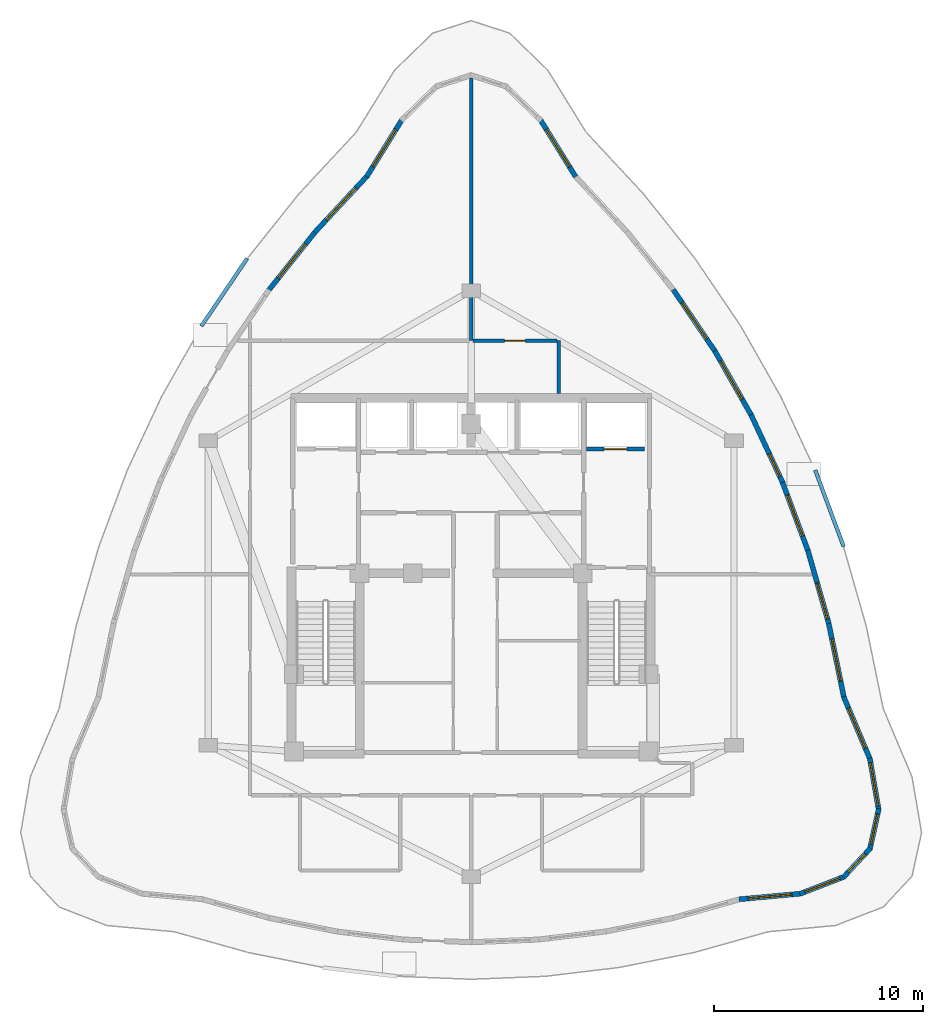
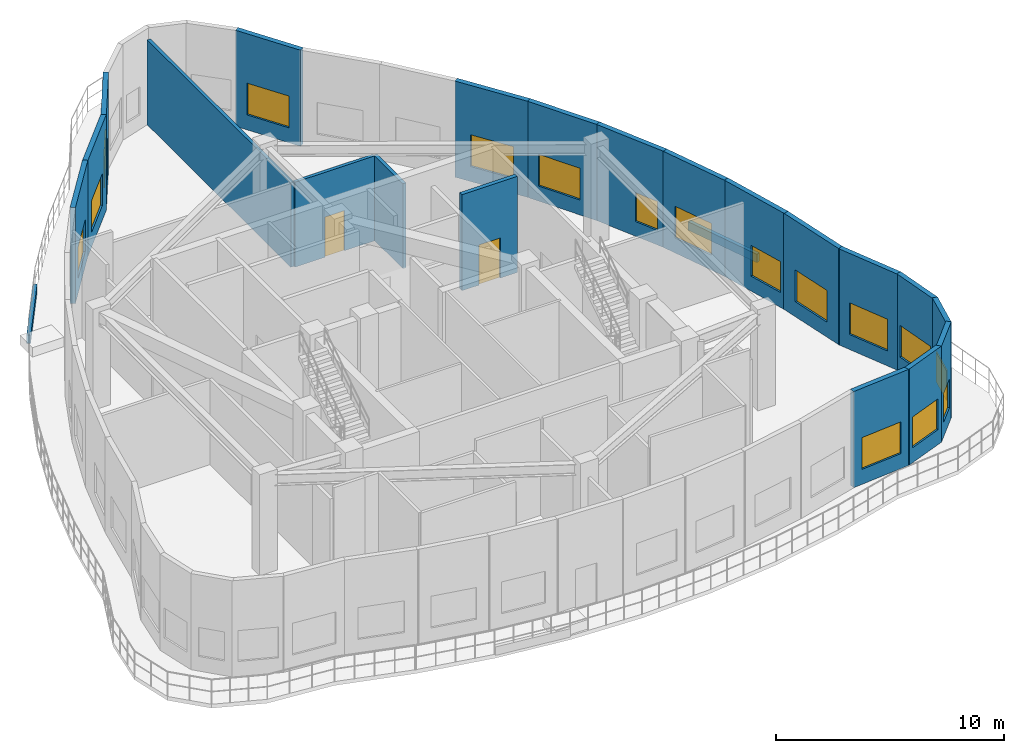
# One storey, part 6 of 11: 22 walls, 16 windows, 2 doors, 18 openings.
"""IFC4 building model written with IfcOpenShell, lengths in metres."""

import ifcopenshell
import ifcopenshell.guid

model = None  # the IFC model being written
_history = None  # IfcOwnerHistory: only IFC2X3 demands one
_inside = {}  # id of a spatial element -> (the spatial element, [elements in it])
_under = {}  # id of a project, library or spatial element -> (it, [spatial elements below it])
_declared = {}  # id of a project -> (the project, [libraries it declares])
_typed = {}  # id of a type object -> (the type object, [elements of that type])
_made_of = {}  # id of a material, layer set ... -> (it, [elements and type objects made of it])


def new_model(schema):
    """Start an empty IFC model of exactly this schema.

    Asked for "IFC4X3", IfcOpenShell would pick the latest addendum, in which some entities
    have other attributes; the version numbers below select the first issue.
    IFC2X3 requires an IfcOwnerHistory on every rooted entity: one is made here for all.
    """
    global model, _history
    if schema == "IFC4X3":
        model = ifcopenshell.file(schema_version=(4, 3, 0, 0))
    else:
        model = ifcopenshell.file(schema=schema)
    _inside.clear()
    _under.clear()
    _declared.clear()
    _typed.clear()
    _made_of.clear()
    _history = None
    if model.schema == "IFC2X3":
        org = make("IfcOrganization", Name="unknown")
        user = make(
            "IfcPersonAndOrganization",
            ThePerson=make("IfcPerson", FamilyName="unknown"),
            TheOrganization=org,
        )
        app = make(
            "IfcApplication",
            ApplicationDeveloper=org,
            Version="unknown",
            ApplicationFullName="unknown",
            ApplicationIdentifier="unknown",
        )
        _history = make(
            "IfcOwnerHistory",
            OwningUser=user,
            OwningApplication=app,
            ChangeAction="ADDED",
            CreationDate=0,
        )
    return model


def make(cls, **values):
    """One entity of the class cls with the attributes given. An attribute that is None is left unset."""
    return model.create_entity(
        cls, **{name: value for name, value in values.items() if value is not None}
    )


def rooted(cls, **values):
    """An entity with a GlobalId (a new one), such as an element, a storey or a relation."""
    return make(cls, GlobalId=ifcopenshell.guid.new(), OwnerHistory=_history, **values)


def si_unit(unit_type, name, prefix=None):
    """IfcSIUnit, for example si_unit("LENGTHUNIT", "METRE", prefix="MILLI")."""
    return make("IfcSIUnit", UnitType=unit_type, Prefix=prefix, Name=name)


def assignment(units):
    """IfcUnitAssignment: the units of a project."""
    return None if units is None else make("IfcUnitAssignment", Units=units)


def point(xyz):
    """IfcCartesianPoint."""
    return None if xyz is None else make("IfcCartesianPoint", Coordinates=xyz)


def direction(xyz):
    """IfcDirection."""
    return None if xyz is None else make("IfcDirection", DirectionRatios=xyz)


def frame(location, z_axis=None, x_axis=None):
    """IfcAxis2Placement3D, a coordinate frame: its origin and axes. An axis left out is left unset."""
    return make(
        "IfcAxis2Placement3D",
        Location=point(location),
        Axis=direction(z_axis),
        RefDirection=direction(x_axis),
    )


def frame_2d(location, x_axis=None):
    """IfcAxis2Placement2D, a coordinate frame in the plane: its origin and x axis."""
    return make(
        "IfcAxis2Placement2D", Location=point(location), RefDirection=direction(x_axis)
    )


def origin():
    """The frame at (0, 0, 0) with its axes left unset."""
    return frame((0.0, 0.0, 0.0))


def place(relative_to, where):
    """IfcLocalPlacement: puts the frame where relative to a parent placement (None: the world)."""
    return make(
        "IfcLocalPlacement", PlacementRelTo=relative_to, RelativePlacement=where
    )


def context(
    kind, dimensions, precision=None, world=None, true_north=None, identifier=None
):
    """IfcGeometricRepresentationContext, for example the 3D "Model" context."""
    return make(
        "IfcGeometricRepresentationContext",
        ContextIdentifier=identifier,
        ContextType=kind,
        CoordinateSpaceDimension=dimensions,
        Precision=precision,
        WorldCoordinateSystem=world,
        TrueNorth=true_north,
    )


def subcontext(parent, identifier, kind, view, scale=None):
    """IfcGeometricRepresentationSubContext, for example "Body" below "Model"."""
    return make(
        "IfcGeometricRepresentationSubContext",
        ContextIdentifier=identifier,
        ContextType=kind,
        ParentContext=parent,
        TargetScale=scale,
        TargetView=view,
    )


def project(units=None, contexts=None):
    """IfcProject with its units and contexts."""
    return rooted(
        "IfcProject",
        Name="project",
        RepresentationContexts=contexts,
        UnitsInContext=assignment(units),
    )


def spatial(cls, under=None, at=None, **own):
    """A site, building, storey or space (cls), placed at a placement, below another one or the project."""
    s = rooted(cls, ObjectPlacement=at, **own)
    if under is not None:
        _under.setdefault(under.id(), (under, []))[1].append(s)
    return s


def profile(cls, at=None, kind="AREA", **sizes):
    """A parametric profile (cls). Its sizes go by their IFC names, for example OverallWidth=200.0."""
    return make(cls, ProfileType=kind, Position=at, **sizes)


def rectangle(**sizes):
    """IfcRectangleProfileDef."""
    return profile("IfcRectangleProfileDef", **sizes)


def extrude(swept, where, along, depth):
    """IfcExtrudedAreaSolid: the profile swept, set in the frame where, extruded along a direction by depth."""
    return make(
        "IfcExtrudedAreaSolid",
        SweptArea=swept,
        Position=where,
        ExtrudedDirection=direction(along),
        Depth=depth,
    )


def shape(context_of_items, identifier, shape_type, items):
    """IfcShapeRepresentation: the items that make up one representation, for example the "Body"."""
    return make(
        "IfcShapeRepresentation",
        ContextOfItems=context_of_items,
        RepresentationIdentifier=identifier,
        RepresentationType=shape_type,
        Items=items,
    )


def material(Name=None, Category=None):
    """IfcMaterial."""
    return make("IfcMaterial", Name=Name, Category=Category)


def layer(
    of_material, thickness, ventilated=None, Name=None, Category=None, Priority=None
):
    """IfcMaterialLayer: one layer of a wall or slab, of a material (None: an air gap)."""
    return make(
        "IfcMaterialLayer",
        Material=of_material,
        LayerThickness=thickness,
        IsVentilated=ventilated,
        Name=Name,
        Category=Category,
        Priority=Priority,
    )


def layer_set(layers, Name=None):
    """IfcMaterialLayerSet."""
    return make("IfcMaterialLayerSet", MaterialLayers=layers, LayerSetName=Name)


def made_of(thing, what):
    """Note that an element or type object is made of a material, layer set ...; save() writes the relation."""
    if what is not None:
        _made_of.setdefault(what.id(), (what, []))[1].append(thing)
    return thing


def type_object(cls, material=None, **own):
    """A type object (cls), such as IfcWallType, which elements share."""
    return made_of(rooted(cls, **own), material)


def element(
    cls,
    number,
    at=None,
    inside=None,
    cuts=None,
    type_object=None,
    material=None,
    context=None,
    identifier="Body",
    shape_type=None,
    held_by="IfcProductDefinitionShape",
    body=None,
    shapes=None,
    **own,
):
    """One element of the class cls, such as IfcWall. Its Tag is "e" and its number.

    at: its placement. inside: the storey or other place that contains it. cuts: it is an
    opening in that element (IfcRelVoidsElement). A single representation is given by context,
    identifier, shape_type and body (its items); several are given by shapes. held_by: the class
    of the entity that holds the representations. save() writes the other relations.
    """
    e = rooted(cls, Tag="e%d" % number, ObjectPlacement=at, **own)
    if body is not None:
        shapes = [shape(context, identifier, shape_type, body)]
    if shapes is not None:
        e.Representation = make(held_by, Representations=shapes)
    if inside is not None:
        _inside.setdefault(inside.id(), (inside, []))[1].append(e)
    if cuts is not None:
        rooted(
            "IfcRelVoidsElement", RelatingBuildingElement=cuts, RelatedOpeningElement=e
        )
    if type_object is not None:
        _typed.setdefault(type_object.id(), (type_object, []))[1].append(e)
    return made_of(e, material)


def fill(opening, filler):
    """IfcRelFillsElement: the door or window that sits in an opening."""
    return rooted(
        "IfcRelFillsElement",
        RelatingOpeningElement=opening,
        RelatedBuildingElement=filler,
    )


def aggregate(whole, parts):
    """IfcRelAggregates: a whole, such as a stair, and the parts it consists of."""
    return rooted("IfcRelAggregates", RelatingObject=whole, RelatedObjects=parts)


def save(model, path):
    """Write the relations noted so far, then the file.

    IfcRelAggregates (storeys below a building ...), IfcRelContainedInSpatialStructure (elements
    in a storey), IfcRelDefinesByType, IfcRelAssociatesMaterial and IfcRelDeclares: one each for
    every whole, place, type object, material and project.
    """
    for whole, parts in _under.values():
        aggregate(whole, parts)
    for where, things in _inside.values():
        rooted(
            "IfcRelContainedInSpatialStructure",
            RelatedElements=things,
            RelatingStructure=where,
        )
    for kind, things in _typed.values():
        rooted("IfcRelDefinesByType", RelatedObjects=things, RelatingType=kind)
    for what, things in _made_of.values():
        rooted("IfcRelAssociatesMaterial", RelatedObjects=things, RelatingMaterial=what)
    for by, libraries in _declared.values():
        rooted("IfcRelDeclares", RelatingContext=by, RelatedDefinitions=libraries)
    model.write(path)


model = new_model("IFC4")

# Units and contexts
model_context = context("Model", 3, precision=1e-05, world=origin(), true_north=direction((0.0, 1.0)))
body_context = subcontext(model_context, "Body", "Model", "MODEL_VIEW")
ifc_project = project(units=[si_unit("LENGTHUNIT", "METRE"), si_unit("AREAUNIT", "SQUARE_METRE"), si_unit("VOLUMEUNIT", "CUBIC_METRE"), si_unit("PLANEANGLEUNIT", "RADIAN"), si_unit("MASSUNIT", "GRAM", prefix="KILO")], contexts=[model_context])

# Site, building, storey
site_placement = place(None, origin())
site = spatial("IfcSite", under=ifc_project, at=site_placement, CompositionType="ELEMENT")
building_placement = place(site_placement, origin())
building = spatial("IfcBuilding", under=site, at=building_placement, Name="Miruveldt Soraemaru", CompositionType="ELEMENT")
storey_placement = place(building_placement, frame((0.0, 0.0, 295.39990234375)))
storey = spatial("IfcBuildingStorey", under=building, at=storey_placement, Name="L79", CompositionType="ELEMENT", Elevation=295.39990234375)

# Wall, opening, window
ifc_material_1 = material(Name="Precast concrete C45/55 (45 MPa)", Category="concrete")
ifc_layer_1 = layer(ifc_material_1, 0.239990234375, Name="Precast concrete C45/55 (45 MPa)", Category="concrete")
ifc_layer_set_1 = layer_set([ifc_layer_1], Name="Precast concrete C45/55 (45 MPa)")
wall_type_1 = type_object("IfcWallType", Name="WALL-EXT-PC240", PredefinedType="SOLIDWALL", material=ifc_layer_set_1)
wall_1_placement = place(storey_placement, frame((49.009521484375, 63.05615234375, 0.0), z_axis=(0.0, 0.0, 1.0), x_axis=(-0.526110187608, 0.850416410058, 0.0)))
wall_1 = element("IfcWall", 1, at=wall_1_placement, inside=storey, type_object=wall_type_1, Name="L79 Precast Concrete Facade Wall 1", PredefinedType="SOLIDWALL", context=body_context, shape_type="SweptSolid", body=[
    extrude(rectangle(XDim=3.232666015625, YDim=0.239990234375, at=frame_2d((1.6162109375, 0.0))), origin(), (0.0, 0.0, 1.0), 5.14013671875),
])
opening_1_placement = place(wall_1_placement, frame((0.56591796875, 0.0, 0.800048828125)))
opening_1 = element("IfcOpeningElement", 2, at=opening_1_placement, cuts=wall_1, Name="Opening WN-1", PredefinedType="OPENING", context=body_context, shape_type="SweptSolid", body=[
    extrude(rectangle(XDim=2.10009765625, YDim=1.699951171875, at=frame_2d((1.050048828125, 0.85009765625))), frame((0.0, 0.1298828125, 0.0), z_axis=(0.0, -1.0, 0.0), x_axis=(1.0, 0.0, 0.0)), (0.0, 0.0, 1.0), 0.260009765625),
])
ifc_material_2 = material(Name="Triple low-e insulated glazing", Category="glass")
window_type_1 = type_object("IfcWindowType", Name="WIN-PUNCH-2100x1700", PartitioningType="SINGLE_PANEL", PredefinedType="WINDOW", material=ifc_material_2)
window_1_placement = place(opening_1_placement, origin())
window_1 = element("IfcWindow", 3, at=window_1_placement, inside=storey, type_object=window_type_1, Name="L79 Punched Triple-Glazed Window 01.1", OverallHeight=1.699951171875, OverallWidth=2.10009765625, PartitioningType="SINGLE_PANEL", PredefinedType="WINDOW", context=body_context, shape_type="SweptSolid", body=[
    extrude(rectangle(XDim=2.10009765625, YDim=1.699951171875, at=frame_2d((1.050048828125, 0.85009765625))), frame((0.0, 0.030029296875, 0.0), z_axis=(0.0, -1.0, 0.0), x_axis=(1.0, 0.0, 0.0)), (0.0, 0.0, 1.0), 0.06005859375),
])
fill(opening_1, window_1)

wall_2_placement = place(storey_placement, frame((40.691162109375, 65.80517578125, 0.0), z_axis=(0.0, 0.0, 1.0), x_axis=(-0.526110187608, -0.850416410058, 0.0)))
wall_2 = element("IfcWall", 4, at=wall_2_placement, inside=storey, type_object=wall_type_1, Name="L79 Precast Concrete Facade Wall 6", PredefinedType="SOLIDWALL", context=body_context, shape_type="SweptSolid", body=[
    extrude(rectangle(XDim=3.232666015625, YDim=0.239990234375, at=frame_2d((1.6162109375, 0.0))), origin(), (0.0, 0.0, 1.0), 5.14013671875),
])
opening_2_placement = place(wall_2_placement, frame((0.56591796875, 0.0, 0.800048828125)))
opening_2 = element("IfcOpeningElement", 5, at=opening_2_placement, cuts=wall_2, Name="Opening WN-1", PredefinedType="OPENING", context=body_context, shape_type="SweptSolid", body=[
    extrude(rectangle(XDim=2.10009765625, YDim=1.699951171875, at=frame_2d((1.050048828125, 0.85009765625))), frame((0.0, 0.1298828125, 0.0), z_axis=(0.0, -1.0, 0.0), x_axis=(1.0, 0.0, 0.0)), (0.0, 0.0, 1.0), 0.260009765625),
])
window_2_placement = place(opening_2_placement, origin())
window_2 = element("IfcWindow", 6, at=window_2_placement, inside=storey, type_object=window_type_1, Name="L79 Punched Triple-Glazed Window 06.1", OverallHeight=1.699951171875, OverallWidth=2.10009765625, PartitioningType="SINGLE_PANEL", PredefinedType="WINDOW", context=body_context, shape_type="SweptSolid", body=[
    extrude(rectangle(XDim=2.10009765625, YDim=1.699951171875, at=frame_2d((1.050048828125, 0.85009765625))), frame((0.0, 0.030029296875, 0.0), z_axis=(0.0, -1.0, 0.0), x_axis=(1.0, 0.0, 0.0)), (0.0, 0.0, 1.0), 0.06005859375),
])
fill(opening_2, window_2)

wall_3_placement = place(storey_placement, frame((39.03271484375, 63.111572265625, 0.0), z_axis=(0.0, 0.0, 1.0), x_axis=(-0.68087147599, -0.732402917241, 0.0)))
wall_3 = element("IfcWall", 7, at=wall_3_placement, inside=storey, type_object=wall_type_1, Name="L79 Precast Concrete Facade Wall 7", PredefinedType="SOLIDWALL", context=body_context, shape_type="SweptSolid", body=[
    extrude(rectangle(XDim=3.718994140625, YDim=0.239990234375, at=frame_2d((1.859375, 0.0))), origin(), (0.0, 0.0, 1.0), 5.14013671875),
])
opening_3_placement = place(wall_3_placement, frame((0.81005859375, 0.0, 0.800048828125)))
opening_3 = element("IfcOpeningElement", 8, at=opening_3_placement, cuts=wall_3, Name="Opening WN-1", PredefinedType="OPENING", context=body_context, shape_type="SweptSolid", body=[
    extrude(rectangle(XDim=2.10009765625, YDim=1.699951171875, at=frame_2d((1.050048828125, 0.85009765625))), frame((0.0, 0.1298828125, 0.0), z_axis=(0.0, -1.0, 0.0), x_axis=(1.0, 0.0, 0.0)), (0.0, 0.0, 1.0), 0.260009765625),
])
window_3_placement = place(opening_3_placement, origin())
window_3 = element("IfcWindow", 9, at=window_3_placement, inside=storey, type_object=window_type_1, Name="L79 Punched Triple-Glazed Window 07.1", OverallHeight=1.699951171875, OverallWidth=2.10009765625, PartitioningType="SINGLE_PANEL", PredefinedType="WINDOW", context=body_context, shape_type="SweptSolid", body=[
    extrude(rectangle(XDim=2.10009765625, YDim=1.699951171875, at=frame_2d((1.050048828125, 0.85009765625))), frame((0.0, 0.030029296875, 0.0), z_axis=(0.0, -1.0, 0.0), x_axis=(1.0, 0.0, 0.0)), (0.0, 0.0, 1.0), 0.06005859375),
])
fill(opening_3, window_3)

wall_4_placement = place(storey_placement, frame((36.546142578125, 60.440673828125, 0.0), z_axis=(0.0, 0.0, 1.0), x_axis=(-0.623626980574, -0.781722066402, 0.0)))
wall_4 = element("IfcWall", 10, at=wall_4_placement, inside=storey, type_object=wall_type_1, Name="L79 Precast Concrete Facade Wall 8", PredefinedType="SOLIDWALL", context=body_context, shape_type="SweptSolid", body=[
    extrude(rectangle(XDim=3.65380859375, YDim=0.239990234375, at=frame_2d((1.826904296875, 0.0))), origin(), (0.0, 0.0, 1.0), 5.14013671875),
])
opening_4_placement = place(wall_4_placement, frame((0.777099609375, 0.0, 0.800048828125)))
opening_4 = element("IfcOpeningElement", 11, at=opening_4_placement, cuts=wall_4, Name="Opening WN-1", PredefinedType="OPENING", context=body_context, shape_type="SweptSolid", body=[
    extrude(rectangle(XDim=2.10009765625, YDim=1.699951171875, at=frame_2d((1.050048828125, 0.85009765625))), frame((0.0, 0.1298828125, 0.0), z_axis=(0.0, -1.0, 0.0), x_axis=(1.0, 0.0, 0.0)), (0.0, 0.0, 1.0), 0.260009765625),
])
window_4_placement = place(opening_4_placement, origin())
window_4 = element("IfcWindow", 12, at=window_4_placement, inside=storey, type_object=window_type_1, Name="L79 Punched Triple-Glazed Window 08.1", OverallHeight=1.699951171875, OverallWidth=2.10009765625, PartitioningType="SINGLE_PANEL", PredefinedType="WINDOW", context=body_context, shape_type="SweptSolid", body=[
    extrude(rectangle(XDim=2.10009765625, YDim=1.699951171875, at=frame_2d((1.050048828125, 0.85009765625))), frame((0.0, 0.030029296875, 0.0), z_axis=(0.0, -1.0, 0.0), x_axis=(1.0, 0.0, 0.0)), (0.0, 0.0, 1.0), 0.06005859375),
])
fill(opening_4, window_4)

wall_5_placement = place(storey_placement, frame((56.84619140625, 28.412841796875, 0.0), z_axis=(0.0, 0.0, 1.0), x_axis=(0.995767942029, 0.091903240575, 0.0)))
wall_5 = element("IfcWall", 13, at=wall_5_placement, inside=storey, type_object=wall_type_1, Name="L79 Precast Concrete Facade Wall 29", PredefinedType="SOLIDWALL", context=body_context, shape_type="SweptSolid", body=[
    extrude(rectangle(XDim=2.993896484375, YDim=0.239990234375, at=frame_2d((1.4970703125, 0.0))), origin(), (0.0, 0.0, 1.0), 5.14013671875),
])
opening_5_placement = place(wall_5_placement, frame((0.447021484375, 0.0, 0.800048828125)))
opening_5 = element("IfcOpeningElement", 14, at=opening_5_placement, cuts=wall_5, Name="Opening WN-1", PredefinedType="OPENING", context=body_context, shape_type="SweptSolid", body=[
    extrude(rectangle(XDim=2.10009765625, YDim=1.699951171875, at=frame_2d((1.050048828125, 0.85009765625))), frame((0.0, 0.1298828125, 0.0), z_axis=(0.0, -1.0, 0.0), x_axis=(1.0, 0.0, 0.0)), (0.0, 0.0, 1.0), 0.260009765625),
])
window_5_placement = place(opening_5_placement, origin())
window_5 = element("IfcWindow", 15, at=window_5_placement, inside=storey, type_object=window_type_1, Name="L79 Punched Triple-Glazed Window 29.1", OverallHeight=1.699951171875, OverallWidth=2.10009765625, PartitioningType="SINGLE_PANEL", PredefinedType="WINDOW", context=body_context, shape_type="SweptSolid", body=[
    extrude(rectangle(XDim=2.10009765625, YDim=1.699951171875, at=frame_2d((1.050048828125, 0.85009765625))), frame((0.0, 0.030029296875, 0.0), z_axis=(0.0, -1.0, 0.0), x_axis=(1.0, 0.0, 0.0)), (0.0, 0.0, 1.0), 0.06005859375),
])
fill(opening_5, window_5)

wall_6_placement = place(storey_placement, frame((59.760009765625, 28.672119140625, 0.0), z_axis=(0.0, 0.0, 1.0), x_axis=(0.932269297358, 0.361765058019, 0.0)))
wall_6 = element("IfcWall", 16, at=wall_6_placement, inside=storey, type_object=wall_type_1, Name="L79 Precast Concrete Facade Wall 30", PredefinedType="SOLIDWALL", context=body_context, shape_type="SweptSolid", body=[
    extrude(rectangle(XDim=2.300537109375, YDim=0.239990234375, at=frame_2d((1.150390625, 0.0))), origin(), (0.0, 0.0, 1.0), 5.14013671875),
])
opening_6_placement = place(wall_6_placement, frame((0.2509765625, 0.0, 0.800048828125)))
opening_6 = element("IfcOpeningElement", 17, at=opening_6_placement, cuts=wall_6, Name="Opening WN-2", PredefinedType="OPENING", context=body_context, shape_type="SweptSolid", body=[
    extrude(rectangle(XDim=1.800048828125, YDim=1.64990234375, at=frame_2d((0.89990234375, 0.824951171875))), frame((0.0, 0.1298828125, 0.0), z_axis=(0.0, -1.0, 0.0), x_axis=(1.0, 0.0, 0.0)), (0.0, 0.0, 1.0), 0.260009765625),
])
window_type_2 = type_object("IfcWindowType", Name="WIN-PUNCH-1800x1650", PartitioningType="SINGLE_PANEL", PredefinedType="WINDOW", material=ifc_material_2)
window_6_placement = place(opening_6_placement, origin())
window_6 = element("IfcWindow", 18, at=window_6_placement, inside=storey, type_object=window_type_2, Name="L79 Punched Triple-Glazed Window 30.1", OverallHeight=1.64990234375, OverallWidth=1.800048828125, PartitioningType="SINGLE_PANEL", PredefinedType="WINDOW", context=body_context, shape_type="SweptSolid", body=[
    extrude(rectangle(XDim=1.800048828125, YDim=1.64990234375, at=frame_2d((0.89990234375, 0.824951171875))), frame((0.0, 0.030029296875, 0.0), z_axis=(0.0, -1.0, 0.0), x_axis=(1.0, 0.0, 0.0)), (0.0, 0.0, 1.0), 0.06005859375),
])
fill(opening_6, window_6)

wall_7_placement = place(storey_placement, frame((61.848388671875, 29.466064453125, 0.0), z_axis=(0.0, 0.0, 1.0), x_axis=(0.680072395428, 0.733144963139, 0.0)))
wall_7 = element("IfcWall", 19, at=wall_7_placement, inside=storey, type_object=wall_type_1, Name="L79 Precast Concrete Facade Wall 31", PredefinedType="SOLIDWALL", context=body_context, shape_type="SweptSolid", body=[
    extrude(rectangle(XDim=1.904541015625, YDim=0.239990234375, at=frame_2d((0.9521484375, 0.0))), origin(), (0.0, 0.0, 1.0), 5.14013671875),
])
opening_7_placement = place(wall_7_placement, frame((0.35205078125, 0.0, 0.780029296875)))
opening_7 = element("IfcOpeningElement", 20, at=opening_7_placement, cuts=wall_7, Name="Opening WN-4", PredefinedType="OPENING", context=body_context, shape_type="SweptSolid", body=[
    extrude(rectangle(XDim=1.199951171875, YDim=1.550048828125, at=frame_2d((0.60009765625, 0.77490234375))), frame((0.0, 0.1298828125, 0.0), z_axis=(0.0, -1.0, 0.0), x_axis=(1.0, 0.0, 0.0)), (0.0, 0.0, 1.0), 0.260009765625),
])
window_type_3 = type_object("IfcWindowType", Name="WIN-PUNCH-1200x1550", PartitioningType="SINGLE_PANEL", PredefinedType="WINDOW", material=ifc_material_2)
window_7_placement = place(opening_7_placement, origin())
window_7 = element("IfcWindow", 21, at=window_7_placement, inside=storey, type_object=window_type_3, Name="L79 Punched Triple-Glazed Window 31.1", OverallHeight=1.550048828125, OverallWidth=1.199951171875, PartitioningType="SINGLE_PANEL", PredefinedType="WINDOW", context=body_context, shape_type="SweptSolid", body=[
    extrude(rectangle(XDim=1.199951171875, YDim=1.550048828125, at=frame_2d((0.60009765625, 0.77490234375))), frame((0.0, 0.030029296875, 0.0), z_axis=(0.0, -1.0, 0.0), x_axis=(1.0, 0.0, 0.0)), (0.0, 0.0, 1.0), 0.06005859375),
])
fill(opening_7, window_7)

wall_8_placement = place(storey_placement, frame((63.1123046875, 30.80224609375, 0.0), z_axis=(0.0, 0.0, 1.0), x_axis=(0.215649526387, 0.976470829963, 0.0)))
wall_8 = element("IfcWall", 22, at=wall_8_placement, inside=storey, type_object=wall_type_1, Name="L79 Precast Concrete Facade Wall 32", PredefinedType="SOLIDWALL", context=body_context, shape_type="SweptSolid", body=[
    extrude(rectangle(XDim=1.998291015625, YDim=0.239990234375, at=frame_2d((0.9990234375, 0.0))), origin(), (0.0, 0.0, 1.0), 5.14013671875),
])
opening_8_placement = place(wall_8_placement, frame((0.2490234375, 0.0, 0.800048828125)))
opening_8 = element("IfcOpeningElement", 23, at=opening_8_placement, cuts=wall_8, Name="Opening WN-3", PredefinedType="OPENING", context=body_context, shape_type="SweptSolid", body=[
    extrude(rectangle(XDim=1.5, YDim=1.60009765625, at=frame_2d((0.75, 0.800048828125))), frame((0.0, 0.1298828125, 0.0), z_axis=(0.0, -1.0, 0.0), x_axis=(1.0, 0.0, 0.0)), (0.0, 0.0, 1.0), 0.260009765625),
])
window_type_4 = type_object("IfcWindowType", Name="WIN-PUNCH-1500x1600", PartitioningType="SINGLE_PANEL", PredefinedType="WINDOW", material=ifc_material_2)
window_8_placement = place(opening_8_placement, origin())
window_8 = element("IfcWindow", 24, at=window_8_placement, inside=storey, type_object=window_type_4, Name="L79 Punched Triple-Glazed Window 32.1", OverallHeight=1.60009765625, OverallWidth=1.5, PartitioningType="SINGLE_PANEL", PredefinedType="WINDOW", context=body_context, shape_type="SweptSolid", body=[
    extrude(rectangle(XDim=1.5, YDim=1.60009765625, at=frame_2d((0.75, 0.800048828125))), frame((0.0, 0.030029296875, 0.0), z_axis=(0.0, -1.0, 0.0), x_axis=(1.0, 0.0, 0.0)), (0.0, 0.0, 1.0), 0.06005859375),
])
fill(opening_8, window_8)

wall_9_placement = place(storey_placement, frame((63.54150390625, 32.6845703125, 0.0), z_axis=(0.0, 0.0, 1.0), x_axis=(-0.169240125324, 0.985574847477, 0.0)))
wall_9 = element("IfcWall", 25, at=wall_9_placement, inside=storey, type_object=wall_type_1, Name="L79 Precast Concrete Facade Wall 33", PredefinedType="SOLIDWALL", context=body_context, shape_type="SweptSolid", body=[
    extrude(rectangle(XDim=2.52587890625, YDim=0.239990234375, at=frame_2d((1.262939453125, 0.0))), origin(), (0.0, 0.0, 1.0), 5.14013671875),
])
opening_9_placement = place(wall_9_placement, frame((0.212890625, 0.0, 0.800048828125)))
opening_9 = element("IfcOpeningElement", 26, at=opening_9_placement, cuts=wall_9, Name="Opening WN-1", PredefinedType="OPENING", context=body_context, shape_type="SweptSolid", body=[
    extrude(rectangle(XDim=2.10009765625, YDim=1.699951171875, at=frame_2d((1.050048828125, 0.85009765625))), frame((0.0, 0.1298828125, 0.0), z_axis=(0.0, -1.0, 0.0), x_axis=(1.0, 0.0, 0.0)), (0.0, 0.0, 1.0), 0.260009765625),
])
window_9_placement = place(opening_9_placement, origin())
window_9 = element("IfcWindow", 27, at=window_9_placement, inside=storey, type_object=window_type_1, Name="L79 Punched Triple-Glazed Window 33.1", OverallHeight=1.699951171875, OverallWidth=2.10009765625, PartitioningType="SINGLE_PANEL", PredefinedType="WINDOW", context=body_context, shape_type="SweptSolid", body=[
    extrude(rectangle(XDim=2.10009765625, YDim=1.699951171875, at=frame_2d((1.050048828125, 0.85009765625))), frame((0.0, 0.030029296875, 0.0), z_axis=(0.0, -1.0, 0.0), x_axis=(1.0, 0.0, 0.0)), (0.0, 0.0, 1.0), 0.06005859375),
])
fill(opening_9, window_9)

wall_10_placement = place(storey_placement, frame((63.13330078125, 35.107421875, 0.0), z_axis=(0.0, 0.0, 1.0), x_axis=(-0.388622520849, 0.921397056805, 0.0)))
wall_10 = element("IfcWall", 28, at=wall_10_placement, inside=storey, type_object=wall_type_1, Name="L79 Precast Concrete Facade Wall 34", PredefinedType="SOLIDWALL", context=body_context, shape_type="SweptSolid", body=[
    extrude(rectangle(XDim=3.280517578125, YDim=0.239990234375, at=frame_2d((1.64013671875, 0.0))), origin(), (0.0, 0.0, 1.0), 5.14013671875),
])
opening_10_placement = place(wall_10_placement, frame((0.591064453125, 0.0, 0.800048828125)))
opening_10 = element("IfcOpeningElement", 29, at=opening_10_placement, cuts=wall_10, Name="Opening WN-1", PredefinedType="OPENING", context=body_context, shape_type="SweptSolid", body=[
    extrude(rectangle(XDim=2.10009765625, YDim=1.699951171875, at=frame_2d((1.050048828125, 0.85009765625))), frame((0.0, 0.1298828125, 0.0), z_axis=(0.0, -1.0, 0.0), x_axis=(1.0, 0.0, 0.0)), (0.0, 0.0, 1.0), 0.260009765625),
])
window_10_placement = place(opening_10_placement, origin())
window_10 = element("IfcWindow", 30, at=window_10_placement, inside=storey, type_object=window_type_1, Name="L79 Punched Triple-Glazed Window 34.1", OverallHeight=1.699951171875, OverallWidth=2.10009765625, PartitioningType="SINGLE_PANEL", PredefinedType="WINDOW", context=body_context, shape_type="SweptSolid", body=[
    extrude(rectangle(XDim=2.10009765625, YDim=1.699951171875, at=frame_2d((1.050048828125, 0.85009765625))), frame((0.0, 0.030029296875, 0.0), z_axis=(0.0, -1.0, 0.0), x_axis=(1.0, 0.0, 0.0)), (0.0, 0.0, 1.0), 0.06005859375),
])
fill(opening_10, window_10)

wall_11_placement = place(storey_placement, frame((61.879150390625, 38.063720703125, 0.0), z_axis=(0.0, 0.0, 1.0), x_axis=(-0.201578837363, 0.979472292782, 0.0)))
wall_11 = element("IfcWall", 31, at=wall_11_placement, inside=storey, type_object=wall_type_1, Name="L79 Precast Concrete Facade Wall 35", PredefinedType="SOLIDWALL", context=body_context, shape_type="SweptSolid", body=[
    extrude(rectangle(XDim=3.719482421875, YDim=0.239990234375, at=frame_2d((1.85986328125, 0.0))), origin(), (0.0, 0.0, 1.0), 5.14013671875),
])
opening_11_placement = place(wall_11_placement, frame((0.81005859375, 0.0, 0.800048828125)))
opening_11 = element("IfcOpeningElement", 32, at=opening_11_placement, cuts=wall_11, Name="Opening WN-1", PredefinedType="OPENING", context=body_context, shape_type="SweptSolid", body=[
    extrude(rectangle(XDim=2.10009765625, YDim=1.699951171875, at=frame_2d((1.050048828125, 0.85009765625))), frame((0.0, 0.1298828125, 0.0), z_axis=(0.0, -1.0, 0.0), x_axis=(1.0, 0.0, 0.0)), (0.0, 0.0, 1.0), 0.260009765625),
])
window_11_placement = place(opening_11_placement, origin())
window_11 = element("IfcWindow", 33, at=window_11_placement, inside=storey, type_object=window_type_1, Name="L79 Punched Triple-Glazed Window 35.1", OverallHeight=1.699951171875, OverallWidth=2.10009765625, PartitioningType="SINGLE_PANEL", PredefinedType="WINDOW", context=body_context, shape_type="SweptSolid", body=[
    extrude(rectangle(XDim=2.10009765625, YDim=1.699951171875, at=frame_2d((1.050048828125, 0.85009765625))), frame((0.0, 0.030029296875, 0.0), z_axis=(0.0, -1.0, 0.0), x_axis=(1.0, 0.0, 0.0)), (0.0, 0.0, 1.0), 0.06005859375),
])
fill(opening_11, window_11)

wall_12_placement = place(storey_placement, frame((61.14599609375, 41.638671875, 0.0), z_axis=(0.0, 0.0, 1.0), x_axis=(-0.274897629025, 0.961473501224, 0.0)))
wall_12 = element("IfcWall", 34, at=wall_12_placement, inside=storey, type_object=wall_type_1, Name="L79 Precast Concrete Facade Wall 36", PredefinedType="SOLIDWALL", context=body_context, shape_type="SweptSolid", body=[
    extrude(rectangle(XDim=3.65380859375, YDim=0.239990234375, at=frame_2d((1.826904296875, 0.0))), origin(), (0.0, 0.0, 1.0), 5.14013671875),
])
opening_12_placement = place(wall_12_placement, frame((0.219970703125, 0.0, 0.800048828125)))
opening_12 = element("IfcOpeningElement", 35, at=opening_12_placement, cuts=wall_12, Name="Opening WN-2", PredefinedType="OPENING", context=body_context, shape_type="SweptSolid", body=[
    extrude(rectangle(XDim=1.800048828125, YDim=1.64990234375, at=frame_2d((0.89990234375, 0.824951171875))), frame((0.0, 0.1298828125, 0.0), z_axis=(0.0, -1.0, 0.0), x_axis=(1.0, 0.0, 0.0)), (0.0, 0.0, 1.0), 0.260009765625),
])
window_12_placement = place(opening_12_placement, origin())
window_12 = element("IfcWindow", 36, at=window_12_placement, inside=storey, type_object=window_type_2, Name="L79 Punched Triple-Glazed Window 36.1", OverallHeight=1.64990234375, OverallWidth=1.800048828125, PartitioningType="SINGLE_PANEL", PredefinedType="WINDOW", context=body_context, shape_type="SweptSolid", body=[
    extrude(rectangle(XDim=1.800048828125, YDim=1.64990234375, at=frame_2d((0.89990234375, 0.824951171875))), frame((0.0, 0.030029296875, 0.0), z_axis=(0.0, -1.0, 0.0), x_axis=(1.0, 0.0, 0.0)), (0.0, 0.0, 1.0), 0.06005859375),
])
fill(opening_12, window_12)

wall_13_placement = place(storey_placement, frame((60.163330078125, 45.085205078125, 0.0), z_axis=(0.0, 0.0, 1.0), x_axis=(-0.349054279873, 0.937102507574, 0.0)))
wall_13 = element("IfcWall", 37, at=wall_13_placement, inside=storey, type_object=wall_type_1, Name="L79 Precast Concrete Facade Wall 37", PredefinedType="SOLIDWALL", context=body_context, shape_type="SweptSolid", body=[
    extrude(rectangle(XDim=3.609130859375, YDim=0.239990234375, at=frame_2d((1.8046875, 0.0))), origin(), (0.0, 0.0, 1.0), 5.14013671875),
])
opening_13_placement = place(wall_13_placement, frame((0.7890625, 0.0, 0.800048828125)))
opening_13 = element("IfcOpeningElement", 38, at=opening_13_placement, cuts=wall_13, Name="Opening WN-1", PredefinedType="OPENING", context=body_context, shape_type="SweptSolid", body=[
    extrude(rectangle(XDim=2.10009765625, YDim=1.699951171875, at=frame_2d((1.050048828125, 0.85009765625))), frame((0.0, 0.1298828125, 0.0), z_axis=(0.0, -1.0, 0.0), x_axis=(1.0, 0.0, 0.0)), (0.0, 0.0, 1.0), 0.260009765625),
])
window_13_placement = place(opening_13_placement, origin())
window_13 = element("IfcWindow", 39, at=window_13_placement, inside=storey, type_object=window_type_1, Name="L79 Punched Triple-Glazed Window 37.1", OverallHeight=1.699951171875, OverallWidth=2.10009765625, PartitioningType="SINGLE_PANEL", PredefinedType="WINDOW", context=body_context, shape_type="SweptSolid", body=[
    extrude(rectangle(XDim=2.10009765625, YDim=1.699951171875, at=frame_2d((1.050048828125, 0.85009765625))), frame((0.0, 0.030029296875, 0.0), z_axis=(0.0, -1.0, 0.0), x_axis=(1.0, 0.0, 0.0)), (0.0, 0.0, 1.0), 0.06005859375),
])
fill(opening_13, window_13)

wall_14_placement = place(storey_placement, frame((58.9306640625, 48.40283203125, 0.0), z_axis=(0.0, 0.0, 1.0), x_axis=(-0.422322757118, 0.906445524464, 0.0)))
wall_14 = element("IfcWall", 40, at=wall_14_placement, inside=storey, type_object=wall_type_1, Name="L79 Precast Concrete Facade Wall 38", PredefinedType="SOLIDWALL", context=body_context, shape_type="SweptSolid", body=[
    extrude(rectangle(XDim=3.587158203125, YDim=0.239990234375, at=frame_2d((1.79345703125, 0.0))), origin(), (0.0, 0.0, 1.0), 5.14013671875),
])
opening_14_placement = place(wall_14_placement, frame((0.31201171875, 0.0, 0.780029296875)))
opening_14 = element("IfcOpeningElement", 41, at=opening_14_placement, cuts=wall_14, Name="Opening WN-4", PredefinedType="OPENING", context=body_context, shape_type="SweptSolid", body=[
    extrude(rectangle(XDim=1.199951171875, YDim=1.550048828125, at=frame_2d((0.60009765625, 0.77490234375))), frame((0.0, 0.1298828125, 0.0), z_axis=(0.0, -1.0, 0.0), x_axis=(1.0, 0.0, 0.0)), (0.0, 0.0, 1.0), 0.260009765625),
])
window_14_placement = place(opening_14_placement, origin())
window_14 = element("IfcWindow", 42, at=window_14_placement, inside=storey, type_object=window_type_3, Name="L79 Punched Triple-Glazed Window 38.1", OverallHeight=1.550048828125, OverallWidth=1.199951171875, PartitioningType="SINGLE_PANEL", PredefinedType="WINDOW", context=body_context, shape_type="SweptSolid", body=[
    extrude(rectangle(XDim=1.199951171875, YDim=1.550048828125, at=frame_2d((0.60009765625, 0.77490234375))), frame((0.0, 0.030029296875, 0.0), z_axis=(0.0, -1.0, 0.0), x_axis=(1.0, 0.0, 0.0)), (0.0, 0.0, 1.0), 0.06005859375),
])
fill(opening_14, window_14)

wall_15_placement = place(storey_placement, frame((57.447998046875, 51.592041015625, 0.0), z_axis=(0.0, 0.0, 1.0), x_axis=(-0.49340236427, 0.869801188165, 0.0)))
wall_15 = element("IfcWall", 43, at=wall_15_placement, inside=storey, type_object=wall_type_1, Name="L79 Precast Concrete Facade Wall 39", PredefinedType="SOLIDWALL", context=body_context, shape_type="SweptSolid", body=[
    extrude(rectangle(XDim=3.5869140625, YDim=0.239990234375, at=frame_2d((1.79345703125, 0.0))), origin(), (0.0, 0.0, 1.0), 5.14013671875),
])
opening_15_placement = place(wall_15_placement, frame((0.9189453125, 0.0, 0.800048828125)))
opening_15 = element("IfcOpeningElement", 44, at=opening_15_placement, cuts=wall_15, Name="Opening WN-1", PredefinedType="OPENING", context=body_context, shape_type="SweptSolid", body=[
    extrude(rectangle(XDim=2.10009765625, YDim=1.699951171875, at=frame_2d((1.050048828125, 0.85009765625))), frame((0.0, 0.1298828125, 0.0), z_axis=(0.0, -1.0, 0.0), x_axis=(1.0, 0.0, 0.0)), (0.0, 0.0, 1.0), 0.260009765625),
])
window_15_placement = place(opening_15_placement, origin())
window_15 = element("IfcWindow", 45, at=window_15_placement, inside=storey, type_object=window_type_1, Name="L79 Punched Triple-Glazed Window 39.1", OverallHeight=1.699951171875, OverallWidth=2.10009765625, PartitioningType="SINGLE_PANEL", PredefinedType="WINDOW", context=body_context, shape_type="SweptSolid", body=[
    extrude(rectangle(XDim=2.10009765625, YDim=1.699951171875, at=frame_2d((1.050048828125, 0.85009765625))), frame((0.0, 0.030029296875, 0.0), z_axis=(0.0, -1.0, 0.0), x_axis=(1.0, 0.0, 0.0)), (0.0, 0.0, 1.0), 0.06005859375),
])
fill(opening_15, window_15)

wall_16_placement = place(storey_placement, frame((55.715087890625, 54.652587890625, 0.0), z_axis=(0.0, 0.0, 1.0), x_axis=(-0.560819727484, 0.827937940467, 0.0)))
wall_16 = element("IfcWall", 46, at=wall_16_placement, inside=storey, type_object=wall_type_1, Name="L79 Precast Concrete Facade Wall 40", PredefinedType="SOLIDWALL", context=body_context, shape_type="SweptSolid", body=[
    extrude(rectangle(XDim=3.609375, YDim=0.239990234375, at=frame_2d((1.8046875, 0.0))), origin(), (0.0, 0.0, 1.0), 5.14013671875),
])
opening_16_placement = place(wall_16_placement, frame((0.75390625, 0.0, 0.800048828125)))
opening_16 = element("IfcOpeningElement", 47, at=opening_16_placement, cuts=wall_16, Name="Opening WN-1", PredefinedType="OPENING", context=body_context, shape_type="SweptSolid", body=[
    extrude(rectangle(XDim=2.10009765625, YDim=1.699951171875, at=frame_2d((1.050048828125, 0.85009765625))), frame((0.0, 0.1298828125, 0.0), z_axis=(0.0, -1.0, 0.0), x_axis=(1.0, 0.0, 0.0)), (0.0, 0.0, 1.0), 0.260009765625),
])
window_16_placement = place(opening_16_placement, origin())
window_16 = element("IfcWindow", 48, at=window_16_placement, inside=storey, type_object=window_type_1, Name="L79 Punched Triple-Glazed Window 40.1", OverallHeight=1.699951171875, OverallWidth=2.10009765625, PartitioningType="SINGLE_PANEL", PredefinedType="WINDOW", context=body_context, shape_type="SweptSolid", body=[
    extrude(rectangle(XDim=2.10009765625, YDim=1.699951171875, at=frame_2d((1.050048828125, 0.85009765625))), frame((0.0, 0.030029296875, 0.0), z_axis=(0.0, -1.0, 0.0), x_axis=(1.0, 0.0, 0.0)), (0.0, 0.0, 1.0), 0.06005859375),
])
fill(opening_16, window_16)

# Wall, opening, door
ifc_material_3 = material(Name="Concrete C40/50 (40 MPa)", Category="concrete")
ifc_layer_2 = layer(ifc_material_3, 0.159912109375, Name="Concrete C40/50 (40 MPa)", Category="concrete")
ifc_layer_set_2 = layer_set([ifc_layer_2], Name="Concrete C40/50 (40 MPa)")
wall_type_2 = type_object("IfcWallType", Name="WALL-INT-RC160", PredefinedType="SOLIDWALL", material=ifc_layer_set_2)
wall_17_placement = place(storey_placement, frame((48.1201171875, 55.199951171875, 0.0), z_axis=(0.0, 0.0, 1.0), x_axis=(-1.0, 0.0, 0.0)))
wall_17 = element("IfcWall", 49, at=wall_17_placement, inside=storey, type_object=wall_type_2, Name="L79 Partition Wall 17", PredefinedType="SOLIDWALL", context=body_context, shape_type="SweptSolid", body=[
    extrude(rectangle(XDim=4.0400390625, YDim=0.159912109375, at=frame_2d((2.02001953125, 0.0))), origin(), (0.0, 0.0, 1.0), 4.5400390625),
])
opening_17_placement = place(wall_17_placement, frame((1.52001953125, 0.0, 0.0)))
opening_17 = element("IfcOpeningElement", 50, at=opening_17_placement, cuts=wall_17, Name="Opening FD2A", PredefinedType="OPENING", context=body_context, shape_type="SweptSolid", body=[
    extrude(rectangle(XDim=1.0, YDim=2.14990234375, at=frame_2d((0.5, 1.074951171875))), frame((0.0, 0.08984375, 0.0), z_axis=(0.0, -1.0, 0.0), x_axis=(1.0, 0.0, 0.0)), (0.0, 0.0, 1.0), 0.179931640625),
])
ifc_material_4 = material(Name="Anodised aluminium EN AW-6063 T6", Category="aluminium")
door_type_1 = type_object("IfcDoorType", Name="DOOR-FD2-1000", OperationType="NOTDEFINED", PredefinedType="DOOR", material=ifc_material_4)
door_1_placement = place(opening_17_placement, origin())
door_1 = element("IfcDoor", 51, at=door_1_placement, inside=storey, type_object=door_type_1, Name="L79 North Summit Viewing Salon Door", OperationType="SINGLE_SWING_LEFT", OverallHeight=2.14990234375, OverallWidth=1.0, PredefinedType="DOOR", context=body_context, shape_type="SweptSolid", body=[
    extrude(rectangle(XDim=1.0, YDim=2.14990234375, at=frame_2d((0.5, 1.074951171875))), frame((0.0, 0.02490234375, 0.0), z_axis=(0.0, -1.0, 0.0), x_axis=(1.0, 0.0, 0.0)), (0.0, 0.0, 1.0), 0.050048828125),
])
fill(opening_17, door_1)

# Walls
wall_18_placement = place(storey_placement, frame((44.0, 55.199951171875, 0.0), z_axis=(0.0, 0.0, 1.0), x_axis=(0.0, 1.0, 0.0)))
element("IfcWall", 52, at=wall_18_placement, inside=storey, type_object=wall_type_2, Name="L79 Partition Wall 27", PredefinedType="SOLIDWALL", context=body_context, shape_type="SweptSolid", body=[
    extrude(rectangle(XDim=12.5849609375, YDim=0.159912109375, at=frame_2d((6.29248046875, 0.0))), origin(), (0.0, 0.0, 1.0), 4.5400390625),
])
wall_19_placement = place(storey_placement, frame((48.199951171875, 52.656005859375, 0.0), z_axis=(0.0, 0.0, 1.0), x_axis=(0.0, 1.0, 0.0)))
element("IfcWall", 53, at=wall_19_placement, inside=storey, type_object=wall_type_2, Name="L79 Partition Wall 16", PredefinedType="SOLIDWALL", context=body_context, shape_type="SweptSolid", body=[
    extrude(rectangle(XDim=2.5439453125, YDim=0.159912109375, at=frame_2d((1.27197265625, 0.0))), origin(), (0.0, 0.0, 1.0), 4.5400390625),
])

# Wall, opening, door
ifc_layer_3 = layer(ifc_material_3, 0.199951171875, Name="Concrete C40/50 (40 MPa)", Category="concrete")
ifc_layer_set_3 = layer_set([ifc_layer_3], Name="Concrete C40/50 (40 MPa)")
wall_type_3 = type_object("IfcWallType", Name="WALL-INT-RC200", PredefinedType="SOLIDWALL", material=ifc_layer_set_3)
wall_20_placement = place(storey_placement, frame((49.52001953125, 50.0, 0.0), z_axis=(0.0, 0.0, 1.0), x_axis=(1.0, 0.0, 0.0)))
wall_20 = element("IfcWall", 54, at=wall_20_placement, inside=storey, type_object=wall_type_3, Name="L79 Core Compartment Wall FFL2-S", PredefinedType="SOLIDWALL", context=body_context, shape_type="SweptSolid", body=[
    extrude(rectangle(XDim=2.800048828125, YDim=0.199951171875, at=frame_2d((1.39990234375, 0.0))), origin(), (0.0, 0.0, 1.0), 5.14013671875),
])
opening_18_placement = place(wall_20_placement, frame((0.85009765625, 0.0, 0.0)))
opening_18 = element("IfcOpeningElement", 55, at=opening_18_placement, cuts=wall_20, Name="Opening LD2", PredefinedType="OPENING", context=body_context, shape_type="SweptSolid", body=[
    extrude(rectangle(XDim=1.10009765625, YDim=2.14990234375, at=frame_2d((0.550048828125, 1.074951171875))), frame((0.0, 0.10986328125, 0.0), z_axis=(0.0, -1.0, 0.0), x_axis=(1.0, 0.0, 0.0)), (0.0, 0.0, 1.0), 0.219970703125),
])
door_type_2 = type_object("IfcDoorType", Name="DOOR-LD2-1100", OperationType="SLIDING_TO_LEFT", PredefinedType="DOOR", material=ifc_material_4)
door_2_placement = place(opening_18_placement, origin())
door_2 = element("IfcDoor", 56, at=door_2_placement, inside=storey, type_object=door_type_2, Name="L79 FFL-2 Landing Door", OperationType="SLIDING_TO_LEFT", OverallHeight=2.14990234375, OverallWidth=1.10009765625, PredefinedType="DOOR", context=body_context, shape_type="SweptSolid", body=[
    extrude(rectangle(XDim=1.10009765625, YDim=2.14990234375, at=frame_2d((0.550048828125, 1.074951171875))), frame((0.0, 0.02490234375, 0.0), z_axis=(0.0, -1.0, 0.0), x_axis=(1.0, 0.0, 0.0)), (0.0, 0.0, 1.0), 0.050048828125),
])
fill(opening_18, door_2)

# Walls
ifc_layer_4 = layer(ifc_material_1, 0.179931640625, Name="Precast concrete C45/55 (45 MPa)", Category="concrete")
ifc_layer_set_4 = layer_set([ifc_layer_4], Name="Precast concrete C45/55 (45 MPa)")
wall_type_4 = type_object("IfcWallType", Name="WALL-PAR-180", PredefinedType="PARAPET", material=ifc_layer_set_4)
for number, where, z_axis, x_axis, name in (
    (57, (33.259521484375, 59.140380859375, 0.0), (0.0, 0.0, 1.0), (-0.560816426747, -0.827940176275, 0.0), "L79 Terrace Upstand Parapet 8"),
    (58, (61.864013671875, 45.3212890625, 0.0), (0.0, 0.0, 1.0), (-0.349003785142, 0.937121314429, 0.0), "L79 Terrace Upstand Parapet 36"),
):
    element("IfcWall", number, at=place(storey_placement, frame(where, z_axis=z_axis, x_axis=x_axis)), inside=storey, type_object=wall_type_4, Name=name, PredefinedType="PARAPET", context=body_context, shape_type="SweptSolid", body=[
        extrude(rectangle(XDim=3.91455078125, YDim=0.179931640625, at=frame_2d((1.957275390625, 0.0))), origin(), (0.0, 0.0, 1.0), 0.4501953125),
    ])

save(model, "model.ifc")
